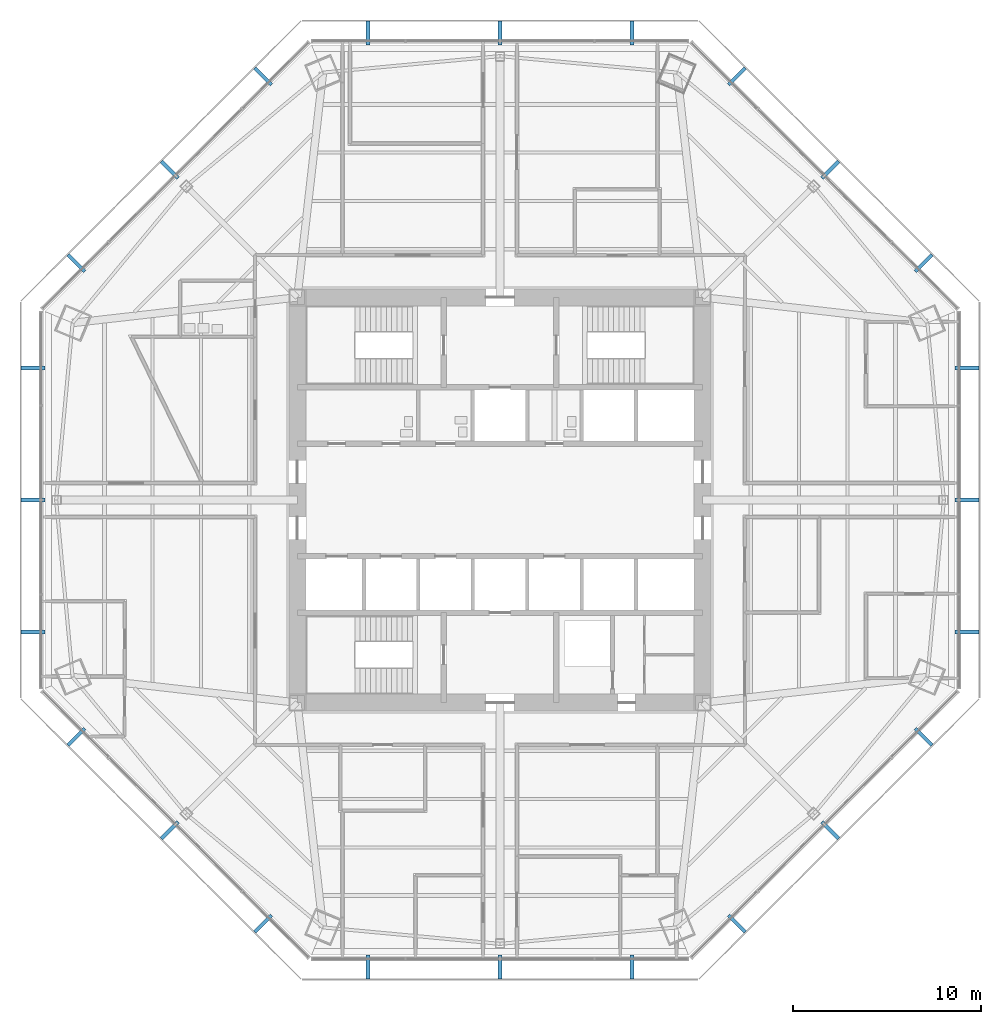
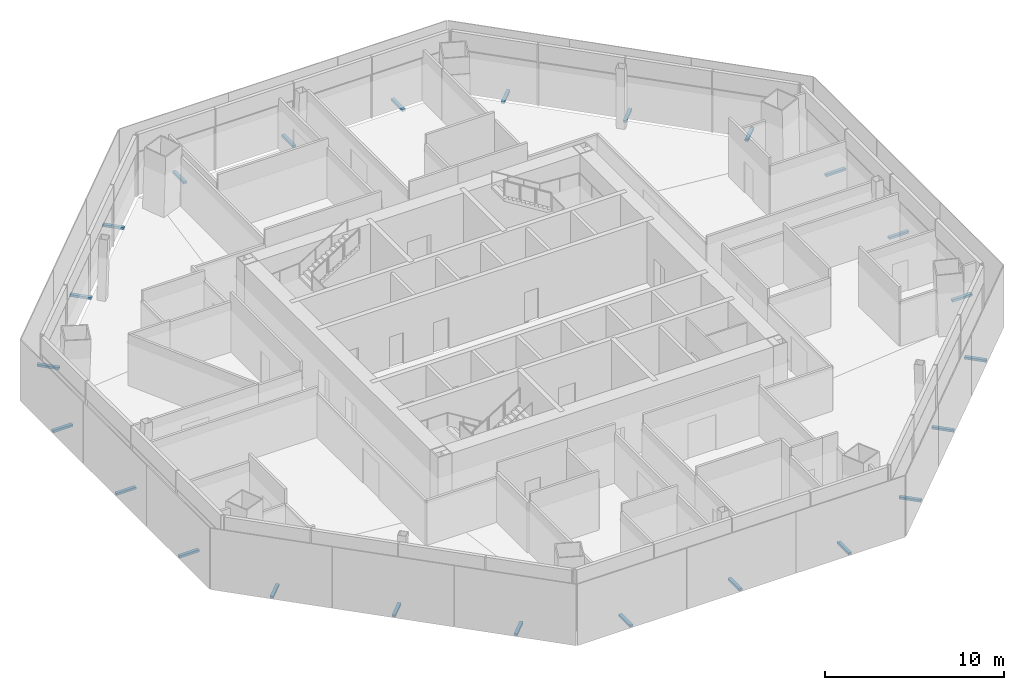
# One storey, part 12 of 15: 24 discrete accessories.
"""IFC4 building model written with IfcOpenShell, lengths in metres."""

from ifc_helpers import new_model, si_unit, direction, frame, origin, origin_2d, place, context, subcontext, project, spatial, rectangle, extrude, source, transform, mapped, material, type_object, type_shapes, element, save


model = new_model("IFC4")

# Units and contexts
model_context = context("Model", 3, precision=1e-05, world=origin(), true_north=direction((0.0, 1.0)))
body_context = subcontext(model_context, "Body", "Model", "MODEL_VIEW")
ifc_project = project(units=[si_unit("LENGTHUNIT", "METRE"), si_unit("AREAUNIT", "SQUARE_METRE"), si_unit("VOLUMEUNIT", "CUBIC_METRE"), si_unit("PLANEANGLEUNIT", "RADIAN"), si_unit("MASSUNIT", "GRAM", prefix="KILO")], contexts=[model_context])

# Site, building, storey
site_placement = place(None, origin())
site = spatial("IfcSite", under=ifc_project, at=site_placement, CompositionType="ELEMENT")
building_placement = place(site_placement, origin())
building = spatial("IfcBuilding", under=site, at=building_placement, Name="Mashrafa Tower", CompositionType="ELEMENT")
storey_placement = place(building_placement, frame((0.0, 0.0, 126.0)))
storey = spatial("IfcBuildingStorey", under=building, at=storey_placement, Name="L28", CompositionType="ELEMENT", Elevation=126.0)

# Discrete accessories
ifc_material = material(Name="Stainless steel screen bracket", Category="steel")
discrete_accessory_type = type_object("IfcDiscreteAccessoryType", Name="Screen support bracket 200 x 150", PredefinedType="BRACKET", material=ifc_material)
shared_shape = source(origin(), body_context, "Body", "SweptSolid", [
    extrude(rectangle(XDim=0.199951171875, YDim=1.27001953125, at=origin_2d()), origin(), (0.0, 0.0, 1.0), 0.14990234375),
])
type_shapes(discrete_accessory_type, [shared_shape])
for number, where, z_axis, x_axis, name in (
    (1, (24.88525390625, -7.04052734375, -0.14990234375), (0.0, 0.0, 1.0), (0.0, 1.0, 0.0), "Screen support bracket L28 east 1"),
    (2, (24.88525390625, 0.0, -0.14990234375), (0.0, 0.0, 1.0), (0.0, 1.0, 0.0), "Screen support bracket L28 east 2"),
    (3, (24.88525390625, 7.04052734375, -0.14990234375), (0.0, 0.0, 1.0), (0.0, 1.0, 0.0), "Screen support bracket L28 east 3"),
    (4, (22.574951171875, 12.6181640625, -0.14990234375), (0.0, 0.0, 1.0), (-0.707106781187, 0.707106781187, 0.0), "Screen support bracket L28 north-east 1"),
    (5, (17.5966796875, 17.5966796875, -0.14990234375), (0.0, 0.0, 1.0), (-0.707106781187, 0.707106781187, 0.0), "Screen support bracket L28 north-east 2"),
    (6, (12.6181640625, 22.574951171875, -0.14990234375), (0.0, 0.0, 1.0), (-0.707106781187, 0.707106781187, 0.0), "Screen support bracket L28 north-east 3"),
    (7, (7.04052734375, 24.88525390625, -0.14990234375), (0.0, 0.0, 1.0), (-1.0, 0.0, 0.0), "Screen support bracket L28 north 1"),
    (8, (0.0, 24.88525390625, -0.14990234375), (0.0, 0.0, 1.0), (-1.0, 0.0, 0.0), "Screen support bracket L28 north 2"),
    (9, (-7.04052734375, 24.88525390625, -0.14990234375), (0.0, 0.0, 1.0), (-1.0, 0.0, 0.0), "Screen support bracket L28 north 3"),
    (10, (-12.6181640625, 22.574951171875, -0.14990234375), (0.0, 0.0, 1.0), (-0.707106781187, -0.707106781187, 0.0), "Screen support bracket L28 north-west 1"),
    (11, (-17.5966796875, 17.5966796875, -0.14990234375), (0.0, 0.0, 1.0), (-0.707106781187, -0.707106781187, 0.0), "Screen support bracket L28 north-west 2"),
    (12, (-22.574951171875, 12.6181640625, -0.14990234375), (0.0, 0.0, 1.0), (-0.707106781187, -0.707106781187, 0.0), "Screen support bracket L28 north-west 3"),
    (13, (-24.88525390625, 7.04052734375, -0.14990234375), (0.0, 0.0, 1.0), (0.0, -1.0, 0.0), "Screen support bracket L28 west 1"),
    (14, (-24.88525390625, 0.0, -0.14990234375), (0.0, 0.0, 1.0), (0.0, -1.0, 0.0), "Screen support bracket L28 west 2"),
    (15, (-24.88525390625, -7.04052734375, -0.14990234375), (0.0, 0.0, 1.0), (0.0, -1.0, 0.0), "Screen support bracket L28 west 3"),
    (16, (-22.574951171875, -12.6181640625, -0.14990234375), (0.0, 0.0, 1.0), (0.707106781187, -0.707106781187, 0.0), "Screen support bracket L28 south-west 1"),
    (17, (-17.5966796875, -17.5966796875, -0.14990234375), (0.0, 0.0, 1.0), (0.707106781187, -0.707106781187, 0.0), "Screen support bracket L28 south-west 2"),
    (18, (-12.6181640625, -22.574951171875, -0.14990234375), (0.0, 0.0, 1.0), (0.707106781187, -0.707106781187, 0.0), "Screen support bracket L28 south-west 3"),
    (19, (-7.04052734375, -24.88525390625, -0.14990234375), (0.0, 0.0, 1.0), (1.0, 0.0, 0.0), "Screen support bracket L28 south 1"),
    (20, (0.0, -24.88525390625, -0.14990234375), (0.0, 0.0, 1.0), (1.0, 0.0, 0.0), "Screen support bracket L28 south 2"),
    (21, (7.04052734375, -24.88525390625, -0.14990234375), (0.0, 0.0, 1.0), (1.0, 0.0, 0.0), "Screen support bracket L28 south 3"),
    (22, (12.6181640625, -22.574951171875, -0.14990234375), (0.0, 0.0, 1.0), (0.707106781187, 0.707106781187, 0.0), "Screen support bracket L28 south-east 1"),
    (23, (17.5966796875, -17.5966796875, -0.14990234375), (0.0, 0.0, 1.0), (0.707106781187, 0.707106781187, 0.0), "Screen support bracket L28 south-east 2"),
    (24, (22.574951171875, -12.6181640625, -0.14990234375), (0.0, 0.0, 1.0), (0.707106781187, 0.707106781187, 0.0), "Screen support bracket L28 south-east 3"),
):
    element("IfcDiscreteAccessory", number, at=place(storey_placement, frame(where, z_axis=z_axis, x_axis=x_axis)), inside=storey, type_object=discrete_accessory_type, Name=name, PredefinedType="BRACKET", context=body_context, shape_type="MappedRepresentation", body=[
        mapped(shared_shape, transform((0.0, 0.0, 0.0))),
    ])

save(model, "model.ifc")
